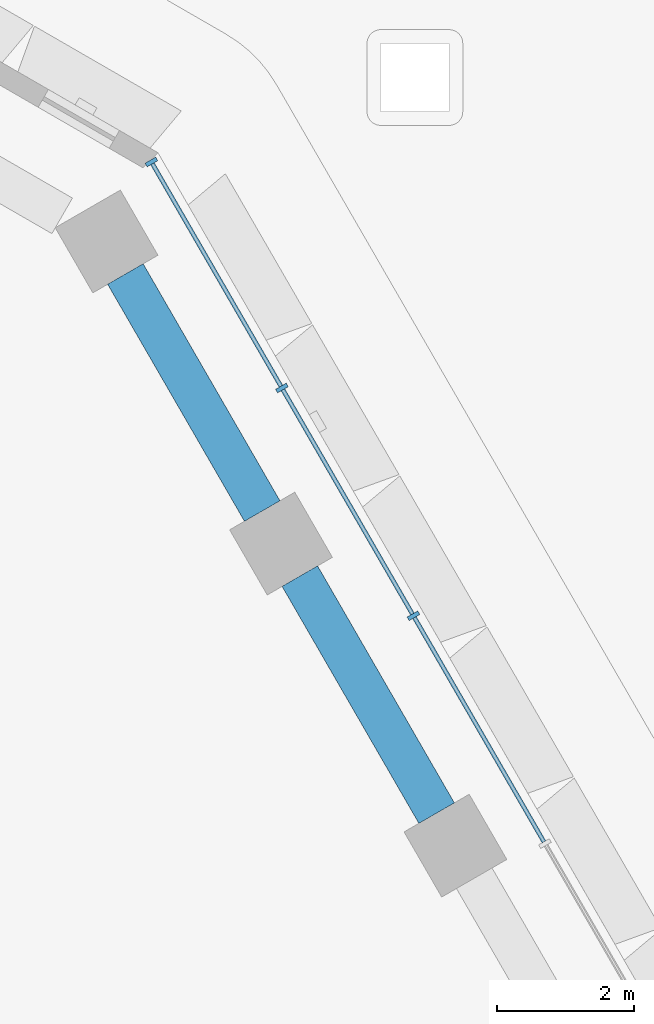
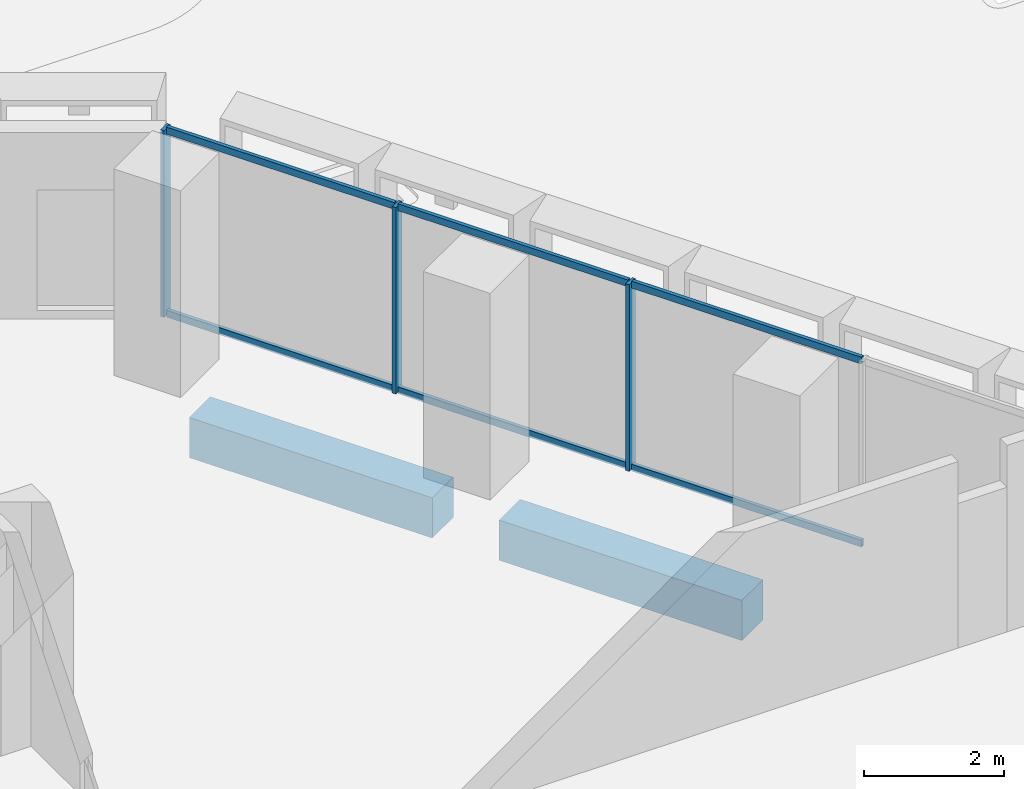
# One storey, part 13 of 38: 9 members, 2 beams, 1 element without a shape of its own.
"""IFC4 building model written with IfcOpenShell, lengths in metres."""

from ifc_helpers import new_model, si_unit, direction, frame, origin, origin_2d, place, context, subcontext, project, spatial, rectangle, hollow_rectangle, extrude, material, material_profile, profile_set, type_object, element, aggregate, save


model = new_model("IFC4")

# Units and contexts
model_context = context("Model", 3, precision=1e-05, world=origin(), true_north=direction((0.0, 1.0)))
body_context = subcontext(model_context, "Body", "Model", "MODEL_VIEW")
ifc_project = project(units=[si_unit("LENGTHUNIT", "METRE"), si_unit("AREAUNIT", "SQUARE_METRE"), si_unit("VOLUMEUNIT", "CUBIC_METRE"), si_unit("PLANEANGLEUNIT", "RADIAN"), si_unit("MASSUNIT", "GRAM", prefix="KILO")], contexts=[model_context])

# Site, building, storey
site_placement = place(None, origin())
site = spatial("IfcSite", under=ifc_project, at=site_placement, CompositionType="ELEMENT")
building_placement = place(site_placement, origin())
building = spatial("IfcBuilding", under=site, at=building_placement, Name="Beryl Residences", CompositionType="ELEMENT")
storey_placement = place(building_placement, frame((0.0, 0.0, 9.0)))
storey = spatial("IfcBuildingStorey", under=building, at=storey_placement, Name="L02", CompositionType="ELEMENT", Elevation=9.0)

# Curtain wall, members
ifc_material_1 = material(Name="Aluminium and clear glass", Category="aluminium")
curtain_wall_type = type_object("IfcCurtainWallType", Name="CW2 amenity glazing glazed wall", PredefinedType="NOTDEFINED", material=ifc_material_1)
curtain_wall_placement = place(storey_placement, origin())
curtain_wall = element("IfcCurtainWall", 1, at=curtain_wall_placement, inside=storey, type_object=curtain_wall_type, Name="CW2 L02 NE", PredefinedType="NOTDEFINED")
ifc_material_2 = material(Name="Aluminium", Category="aluminium")
ifc_material_profile_1 = material_profile(ifc_material_2, rectangle(XDim=0.06005859375, YDim=0.179931640625, at=origin_2d()))
ifc_profile_set_1 = profile_set([ifc_material_profile_1], Name="Aluminium")
member_type_1 = type_object("IfcMemberType", Name="CW2-M mullion 60 x 180 mm", PredefinedType="MULLION", material=ifc_profile_set_1)
member_1_placement = place(storey_placement, frame((21.57861328125, 19.124267578125, 0.0), z_axis=(0.0, 0.0, 1.0), x_axis=(-0.500011643322, 0.866018681405, 0.0)))
member_1 = element("IfcMember", 2, at=member_1_placement, type_object=member_type_1, Name="CW2 mullion 6", PredefinedType="MULLION", context=body_context, shape_type="SweptSolid", body=[
    extrude(rectangle(XDim=0.06005859375, YDim=0.179931640625, at=origin_2d()), origin(), (0.0, 0.0, 1.0), 3.25),
])
member_2_placement = place(storey_placement, frame((19.654296875, 22.45703125, 0.0), z_axis=(0.0, 0.0, 1.0), x_axis=(-0.500011643322, 0.866018681405, 0.0)))
member_2 = element("IfcMember", 3, at=member_2_placement, type_object=member_type_1, Name="CW2 mullion 7", PredefinedType="MULLION", context=body_context, shape_type="SweptSolid", body=[
    extrude(rectangle(XDim=0.06005859375, YDim=0.179931640625, at=origin_2d()), origin(), (0.0, 0.0, 1.0), 3.25),
])
member_3_placement = place(storey_placement, frame((17.7451171875, 25.763916015625, 0.0), z_axis=(0.0, 0.0, 1.0), x_axis=(-0.500011643322, 0.866018681405, 0.0)))
member_3 = element("IfcMember", 4, at=member_3_placement, type_object=member_type_1, Name="CW2 mullion 8", PredefinedType="MULLION", context=body_context, shape_type="SweptSolid", body=[
    extrude(rectangle(XDim=0.06005859375, YDim=0.179931640625, at=origin_2d()), origin(), (0.0, 0.0, 1.0), 3.25),
])
ifc_material_3 = material(Name="Aluminium", Category="aluminium")
ifc_material_profile_2 = material_profile(ifc_material_3, hollow_rectangle(XDim=0.06005859375, YDim=0.1201171875, WallThickness=0.00390625, at=origin_2d()))
ifc_profile_set_2 = profile_set([ifc_material_profile_2], Name="Aluminium")
member_type_2 = type_object("IfcMemberType", Name="CW2-T transom 60 x 120 mm", PredefinedType="USERDEFINED", material=ifc_profile_set_2)
member_4_placement = place(storey_placement, frame((23.48779296875, 15.8173828125, 0.030029296875), z_axis=(-0.499999503755, 0.866025690291, 0.0), x_axis=(-0.866025690291, -0.499999503755, 0.0)))
member_4 = element("IfcMember", 5, at=member_4_placement, type_object=member_type_2, Name="CW2 transom 5.1", ObjectType="TRANSOM", PredefinedType="USERDEFINED", context=body_context, shape_type="SweptSolid", body=[
    extrude(hollow_rectangle(XDim=0.06005859375, YDim=0.1201171875, WallThickness=0.00390625, at=origin_2d()), origin(), (0.0, 0.0, 1.0), 3.78857421875),
])
member_5_placement = place(storey_placement, frame((23.48779296875, 15.8173828125, 3.219970703125), z_axis=(-0.499999503755, 0.866025690291, 0.0), x_axis=(-0.866025690291, -0.499999503755, 0.0)))
member_5 = element("IfcMember", 6, at=member_5_placement, type_object=member_type_2, Name="CW2 transom 5.2", ObjectType="TRANSOM", PredefinedType="USERDEFINED", context=body_context, shape_type="SweptSolid", body=[
    extrude(hollow_rectangle(XDim=0.06005859375, YDim=0.1201171875, WallThickness=0.00390625, at=origin_2d()), origin(), (0.0, 0.0, 1.0), 3.78857421875),
])
member_6_placement = place(storey_placement, frame((21.5634765625, 19.150146484375, 0.030029296875), z_axis=(-0.499999503755, 0.866025690291, 0.0), x_axis=(-0.866025690291, -0.499999503755, 0.0)))
member_6 = element("IfcMember", 7, at=member_6_placement, type_object=member_type_2, Name="CW2 transom 6.1", ObjectType="TRANSOM", PredefinedType="USERDEFINED", context=body_context, shape_type="SweptSolid", body=[
    extrude(hollow_rectangle(XDim=0.06005859375, YDim=0.1201171875, WallThickness=0.00390625, at=origin_2d()), origin(), (0.0, 0.0, 1.0), 3.78857421875),
])
member_7_placement = place(storey_placement, frame((21.5634765625, 19.150146484375, 3.219970703125), z_axis=(-0.499999503755, 0.866025690291, 0.0), x_axis=(-0.866025690291, -0.499999503755, 0.0)))
member_7 = element("IfcMember", 8, at=member_7_placement, type_object=member_type_2, Name="CW2 transom 6.2", ObjectType="TRANSOM", PredefinedType="USERDEFINED", context=body_context, shape_type="SweptSolid", body=[
    extrude(hollow_rectangle(XDim=0.06005859375, YDim=0.1201171875, WallThickness=0.00390625, at=origin_2d()), origin(), (0.0, 0.0, 1.0), 3.78857421875),
])
member_8_placement = place(storey_placement, frame((19.639404296875, 22.483154296875, 0.030029296875), z_axis=(-0.500037327496, 0.866003851672, 0.0), x_axis=(-0.866003851672, -0.500037327496, 0.0)))
member_8 = element("IfcMember", 9, at=member_8_placement, type_object=member_type_2, Name="CW2 transom 7.1", ObjectType="TRANSOM", PredefinedType="USERDEFINED", context=body_context, shape_type="SweptSolid", body=[
    extrude(hollow_rectangle(XDim=0.06005859375, YDim=0.1201171875, WallThickness=0.00390625, at=origin_2d()), origin(), (0.0, 0.0, 1.0), 3.758544921875),
])
member_9_placement = place(storey_placement, frame((19.639404296875, 22.483154296875, 3.219970703125), z_axis=(-0.500037327496, 0.866003851672, 0.0), x_axis=(-0.866003851672, -0.500037327496, 0.0)))
member_9 = element("IfcMember", 10, at=member_9_placement, type_object=member_type_2, Name="CW2 transom 7.2", ObjectType="TRANSOM", PredefinedType="USERDEFINED", context=body_context, shape_type="SweptSolid", body=[
    extrude(hollow_rectangle(XDim=0.06005859375, YDim=0.1201171875, WallThickness=0.00390625, at=origin_2d()), origin(), (0.0, 0.0, 1.0), 3.758544921875),
])
aggregate(curtain_wall, [member_1, member_2, member_3, member_4, member_5, member_6, member_7, member_8, member_9])

# Beams
ifc_material_4 = material(Name="Concrete C80/95", Category="concrete")
ifc_material_profile_3 = material_profile(ifc_material_4, rectangle(XDim=0.60009765625, YDim=0.699951171875, at=origin_2d()))
ifc_profile_set_3 = profile_set([ifc_material_profile_3], Name="Concrete C80/95")
beam_type = type_object("IfcBeamType", Name="SB1 spandrel beam 600 x 700 C80/95", PredefinedType="SPANDREL", material=ifc_profile_set_3)
for number, where, z_axis, x_axis, name in (
    (11, (21.91796875, 16.237060546875, -0.85009765625), (-0.499942357345, 0.866058681229, 0.0), (-0.866058681229, -0.499942357345, 0.0), "SB1 L02 NE-3"),
    (12, (19.365966796875, 20.656982421875, -0.85009765625), (-0.499942357345, 0.866058681229, 0.0), (-0.866058681229, -0.499942357345, 0.0), "SB1 L02 NE-4"),
):
    element("IfcBeam", number, at=place(storey_placement, frame(where, z_axis=z_axis, x_axis=x_axis)), inside=storey, type_object=beam_type, Name=name, PredefinedType="SPANDREL", context=body_context, shape_type="SweptSolid", body=[
        extrude(rectangle(XDim=0.60009765625, YDim=0.699951171875, at=origin_2d()), origin(), (0.0, 0.0, 1.0), 4.00439453125),
    ])

save(model, "model.ifc")
